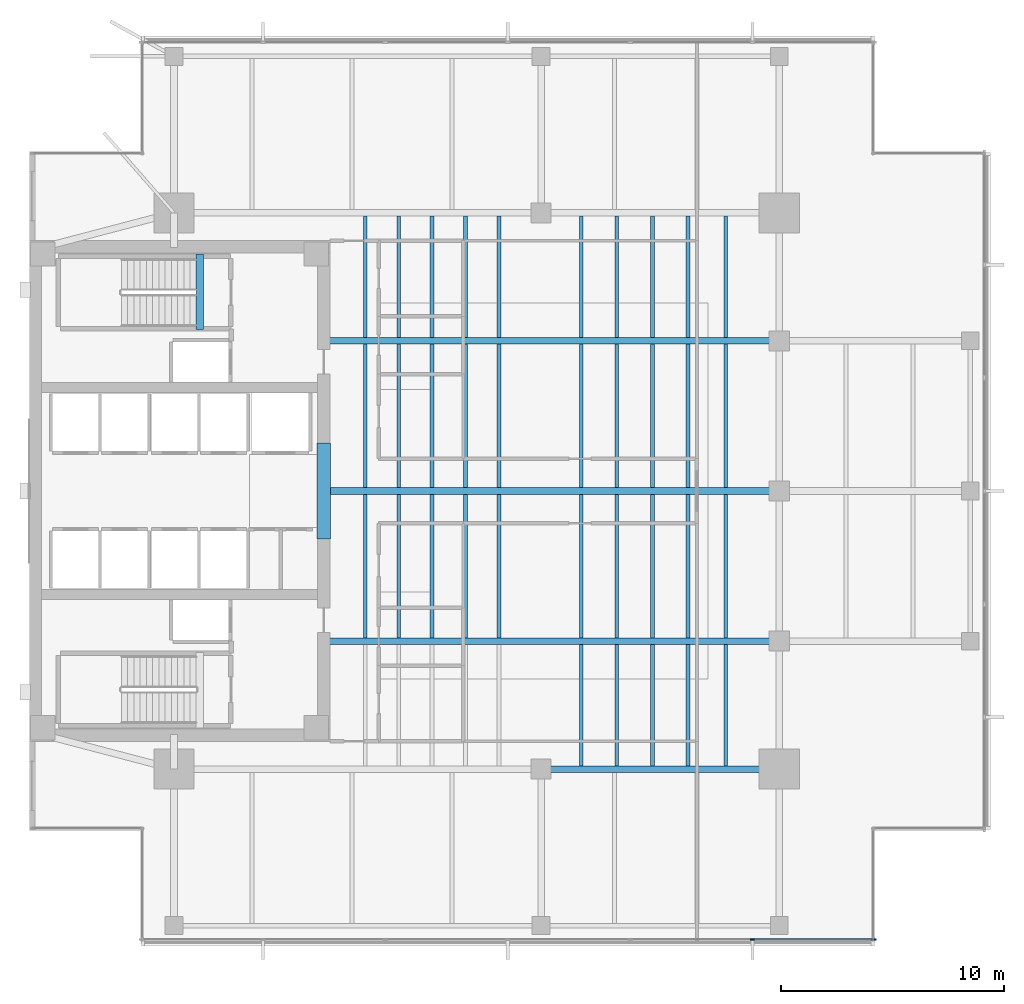
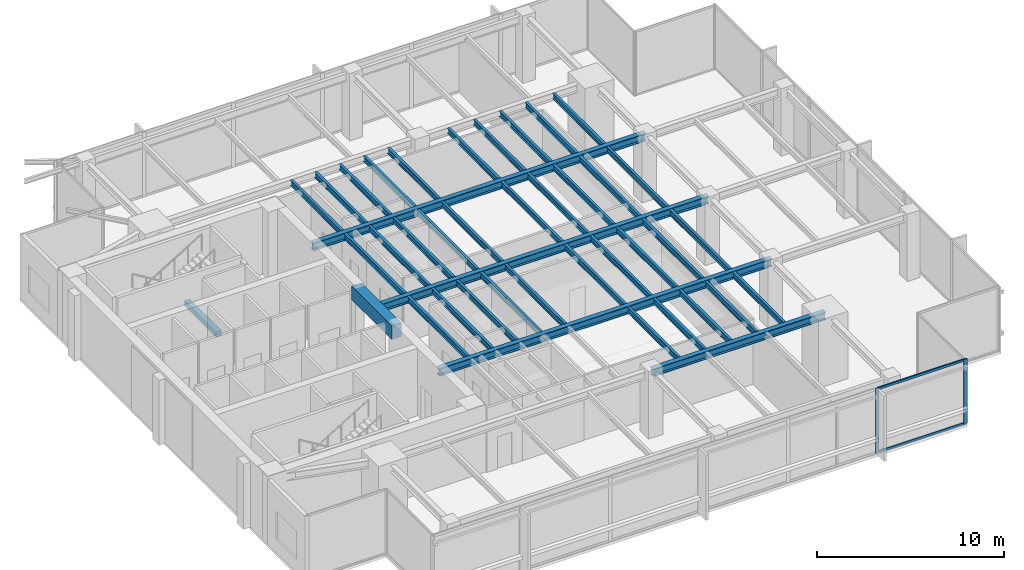
# One storey, part 3 of 14: 41 beams, 4 members, 1 element without a shape of its own.
"""IFC4 building model written with IfcOpenShell, lengths in metres."""

from ifc_helpers import new_model, si_unit, direction, frame, origin, origin_2d, place, context, subcontext, project, spatial, rectangle, i_section, extrude, material, layer, layer_set, material_profile, profile_set, type_object, element, aggregate, save


model = new_model("IFC4")

# Units and contexts
model_context = context("Model", 3, precision=1e-05, world=origin(), true_north=direction((0.0, 1.0)))
body_context = subcontext(model_context, "Body", "Model", "MODEL_VIEW")
ifc_project = project(units=[si_unit("LENGTHUNIT", "METRE"), si_unit("AREAUNIT", "SQUARE_METRE"), si_unit("VOLUMEUNIT", "CUBIC_METRE"), si_unit("PLANEANGLEUNIT", "RADIAN"), si_unit("MASSUNIT", "GRAM", prefix="KILO")], contexts=[model_context])

# Site, building, storey
site_placement = place(None, origin())
site = spatial("IfcSite", under=ifc_project, at=site_placement, CompositionType="ELEMENT")
building_placement = place(site_placement, origin())
building = spatial("IfcBuilding", under=site, at=building_placement, Name="Kinhvarn Gate Tower", CompositionType="ELEMENT")
storey_placement = place(building_placement, frame((0.0, 0.0, 183.64990234375)))
storey = spatial("IfcBuildingStorey", under=building, at=storey_placement, Name="L48", CompositionType="ELEMENT", Elevation=183.64990234375)

# Beams
ifc_material_1 = material(Name="Concrete C60/75", Category="concrete")
ifc_material_profile_1 = material_profile(ifc_material_1, rectangle(XDim=0.60009765625, YDim=0.89990234375, at=origin_2d()), Name="RC 600x900")
ifc_profile_set_1 = profile_set([ifc_material_profile_1], Name="Concrete C60/75")
beam_type_1 = type_object("IfcBeamType", Name="BM-CB-900", PredefinedType="LINTEL", material=ifc_profile_set_1)
beam_1_placement = place(storey_placement, frame((17.72509765625, 23.10009765625, 3.77001953125), z_axis=(0.0, 1.0, 0.0), x_axis=(-1.0, 0.0, 0.0)))
element("IfcBeam", 1, at=beam_1_placement, inside=storey, type_object=beam_type_1, Name="Core East Portal Coupling Beam L48", PredefinedType="LINTEL", context=body_context, shape_type="SweptSolid", body=[
    extrude(rectangle(XDim=0.60009765625, YDim=0.89990234375, at=origin_2d()), origin(), (0.0, 0.0, 1.0), 4.2998046875),
])
ifc_material_2 = material(Name="Concrete C50/60", Category="concrete")
ifc_material_profile_2 = material_profile(ifc_material_2, rectangle(XDim=0.340087890625, YDim=0.320068359375, at=origin_2d()), Name="RC 340x320")
ifc_profile_set_2 = profile_set([ifc_material_profile_2], Name="Concrete C50/60")
beam_type_2 = type_object("IfcBeamType", Name="BM-LND-500", PredefinedType="BEAM", material=ifc_profile_set_2)
beam_2_placement = place(storey_placement, frame((12.1650390625, 32.5, -0.159912109375), z_axis=(0.0, 1.0, 0.0), x_axis=(-1.0, 0.0, 0.0)))
element("IfcBeam", 2, at=beam_2_placement, inside=storey, type_object=beam_type_2, Name="Stair ST2 Landing Nosing Beam (L48)", PredefinedType="BEAM", context=body_context, shape_type="SweptSolid", body=[
    extrude(rectangle(XDim=0.340087890625, YDim=0.320068359375, at=origin_2d()), origin(), (0.0, 0.0, 1.0), 3.39990234375),
])

# Curtain wall, members
ifc_material_3 = material(Name="Anodised aluminium AW-6063", Category="aluminium")
ifc_layer = layer(ifc_material_3, 0.219970703125)
ifc_layer_set = layer_set([ifc_layer], Name="Anodised aluminium AW-6063")
curtain_wall_type = type_object("IfcCurtainWallType", Name="CW-SYS-5", PredefinedType="NOTDEFINED", material=ifc_layer_set)
curtain_wall_placement = place(storey_placement, origin())
curtain_wall = element("IfcCurtainWall", 3, at=curtain_wall_placement, inside=storey, type_object=curtain_wall_type, Name="Curtain Wall CW5 (L48)", PredefinedType="NOTDEFINED")
ifc_material_profile_3 = material_profile(ifc_material_3, rectangle(XDim=0.080078125, YDim=0.219970703125, at=origin_2d()), Name="ALU 80x220")
ifc_profile_set_3 = profile_set([ifc_material_profile_3], Name="Anodised aluminium AW-6063")
member_type_1 = type_object("IfcMemberType", Name="CW-MUL-220", PredefinedType="MULLION", material=ifc_profile_set_3)
member_1_placement = place(storey_placement, frame((37.0, 5.090087890625, 0.0), z_axis=(0.0, 0.0, 1.0), x_axis=(0.0, 1.0, 0.0)))
member_1 = element("IfcMember", 4, at=member_1_placement, type_object=member_type_1, Name="CW5 mullion 6", PredefinedType="MULLION", context=body_context, shape_type="SweptSolid", body=[
    extrude(rectangle(XDim=0.080078125, YDim=0.219970703125, at=origin_2d()), origin(), (0.0, 0.0, 1.0), 4.22021484375),
])
member_2_placement = place(storey_placement, frame((42.4599609375, 5.090087890625, 0.0), z_axis=(0.0, 0.0, 1.0), x_axis=(0.0, 1.0, 0.0)))
member_2 = element("IfcMember", 5, at=member_2_placement, type_object=member_type_1, Name="CW5 mullion 7", PredefinedType="MULLION", context=body_context, shape_type="SweptSolid", body=[
    extrude(rectangle(XDim=0.080078125, YDim=0.219970703125, at=origin_2d()), origin(), (0.0, 0.0, 1.0), 4.22021484375),
])
ifc_material_profile_4 = material_profile(ifc_material_3, rectangle(XDim=0.080078125, YDim=0.159912109375, at=origin_2d()), Name="ALU 80x160")
ifc_profile_set_4 = profile_set([ifc_material_profile_4], Name="Anodised aluminium AW-6063")
member_type_2 = type_object("IfcMemberType", Name="CW-TRN-160", PredefinedType="USERDEFINED", material=ifc_profile_set_4)
member_3_placement = place(storey_placement, frame((37.0400390625, 5.090087890625, 0.0400390625), z_axis=(1.0, 0.0, 0.0), x_axis=(0.0, 1.0, 0.0)))
member_3 = element("IfcMember", 6, at=member_3_placement, type_object=member_type_2, Name="CW5 transom 6.1", ObjectType="TRANSOM", PredefinedType="USERDEFINED", context=body_context, shape_type="SweptSolid", body=[
    extrude(rectangle(XDim=0.080078125, YDim=0.159912109375, at=origin_2d()), origin(), (0.0, 0.0, 1.0), 5.3798828125),
])
member_4_placement = place(storey_placement, frame((37.0400390625, 5.090087890625, 4.18017578125), z_axis=(1.0, 0.0, 0.0), x_axis=(0.0, 1.0, 0.0)))
member_4 = element("IfcMember", 7, at=member_4_placement, type_object=member_type_2, Name="CW5 transom 6.2", ObjectType="TRANSOM", PredefinedType="USERDEFINED", context=body_context, shape_type="SweptSolid", body=[
    extrude(rectangle(XDim=0.080078125, YDim=0.159912109375, at=origin_2d()), origin(), (0.0, 0.0, 1.0), 5.3798828125),
])
aggregate(curtain_wall, [member_1, member_2, member_3, member_4])

# Beams
ifc_material_4 = material(Name="Steel S355", Category="steel")
ifc_material_profile_5 = material_profile(ifc_material_4, i_section(OverallWidth=0.300048828125, OverallDepth=0.5, WebThickness=0.014404296875, FlangeThickness=0.028076171875, at=origin_2d()), Name="HEB 500")
ifc_profile_set_5 = profile_set([ifc_material_profile_5], Name="Steel S355")
beam_type_3 = type_object("IfcBeamType", Name="STL-HEB500", PredefinedType="BEAM", material=ifc_profile_set_5)
beam_3_placement = place(storey_placement, frame((27.5, 12.75, 3.97021484375), z_axis=(1.0, 0.0, 0.0), x_axis=(0.0, 1.0, 0.0)))
element("IfcBeam", 8, at=beam_3_placement, inside=storey, type_object=beam_type_3, Name="Floor Beam PG-14 (L48 MG-S2)", PredefinedType="BEAM", context=body_context, shape_type="SweptSolid", body=[
    extrude(i_section(OverallWidth=0.300048828125, OverallDepth=0.5, WebThickness=0.014404296875, FlangeThickness=0.028076171875, at=origin_2d()), origin(), (0.0, 0.0, 1.0), 10.699951171875),
])
beam_4_placement = place(storey_placement, frame((17.64990234375, 18.5, 3.97021484375), z_axis=(1.0, 0.0, 0.0), x_axis=(0.0, 1.0, 0.0)))
element("IfcBeam", 9, at=beam_4_placement, inside=storey, type_object=beam_type_3, Name="Floor Beam PG-14 (L48 EW1-Y18)", PredefinedType="BEAM", context=body_context, shape_type="SweptSolid", body=[
    extrude(i_section(OverallWidth=0.300048828125, OverallDepth=0.5, WebThickness=0.014404296875, FlangeThickness=0.028076171875, at=origin_2d()), origin(), (0.0, 0.0, 1.0), 20.550048828125),
])
beam_5_placement = place(storey_placement, frame((18.02490234375, 25.25, 3.97021484375), z_axis=(1.0, 0.0, 0.0), x_axis=(0.0, 1.0, 0.0)))
element("IfcBeam", 10, at=beam_5_placement, inside=storey, type_object=beam_type_3, Name="Floor Beam PG-14 (L48 EW1-Y25)", PredefinedType="BEAM", context=body_context, shape_type="SweptSolid", body=[
    extrude(i_section(OverallWidth=0.300048828125, OverallDepth=0.5, WebThickness=0.014404296875, FlangeThickness=0.028076171875, at=origin_2d()), origin(), (0.0, 0.0, 1.0), 20.175048828125),
])
beam_6_placement = place(storey_placement, frame((17.64990234375, 32.0, 3.97021484375), z_axis=(1.0, 0.0, 0.0), x_axis=(0.0, 1.0, 0.0)))
element("IfcBeam", 11, at=beam_6_placement, inside=storey, type_object=beam_type_3, Name="Floor Beam PG-14 (L48 EW1-Y32)", PredefinedType="BEAM", context=body_context, shape_type="SweptSolid", body=[
    extrude(i_section(OverallWidth=0.300048828125, OverallDepth=0.5, WebThickness=0.014404296875, FlangeThickness=0.028076171875, at=origin_2d()), origin(), (0.0, 0.0, 1.0), 20.550048828125),
])
ifc_material_profile_6 = material_profile(ifc_material_4, i_section(OverallWidth=0.169921875, OverallDepth=0.360107421875, WebThickness=0.008056640625, FlangeThickness=0.0126953125, at=origin_2d()), Name="IPE 360")
ifc_profile_set_6 = profile_set([ifc_material_profile_6], Name="Steel S355")
beam_type_4 = type_object("IfcBeamType", Name="STL-IPE360", PredefinedType="JOIST", material=ifc_profile_set_6)
for number, where, z_axis, x_axis, name in (
    (12, (19.60009765625, 18.64990234375, 4.0400390625), (0.0, 1.0, 0.0), (-1.0, 0.0, 0.0), "Floor Joist SB-04 (L48 JC-X196-1)"),
    (13, (19.60009765625, 25.39990234375, 4.0400390625), (0.0, 1.0, 0.0), (-1.0, 0.0, 0.0), "Floor Joist SB-04 (L48 JC-X196-2)"),
):
    element("IfcBeam", number, at=place(storey_placement, frame(where, z_axis=z_axis, x_axis=x_axis)), inside=storey, type_object=beam_type_4, Name=name, PredefinedType="JOIST", context=body_context, shape_type="SweptSolid", body=[
        extrude(i_section(OverallWidth=0.169921875, OverallDepth=0.360107421875, WebThickness=0.008056640625, FlangeThickness=0.0126953125, at=origin_2d()), origin(), (0.0, 0.0, 1.0), 6.4501953125),
    ])
beam_7_placement = place(storey_placement, frame((19.60009765625, 32.14990234375, 4.0400390625), z_axis=(0.0, 1.0, 0.0), x_axis=(-1.0, 0.0, 0.0)))
element("IfcBeam", 14, at=beam_7_placement, inside=storey, type_object=beam_type_4, Name="Floor Joist SB-04 (L48 JC-X196-3)", PredefinedType="JOIST", context=body_context, shape_type="SweptSolid", body=[
    extrude(i_section(OverallWidth=0.169921875, OverallDepth=0.360107421875, WebThickness=0.008056640625, FlangeThickness=0.0126953125, at=origin_2d()), origin(), (0.0, 0.0, 1.0), 5.4501953125),
])
for number, where, z_axis, x_axis, name in (
    (15, (21.10009765625, 18.64990234375, 4.0400390625), (0.0, 1.0, 0.0), (-1.0, 0.0, 0.0), "Floor Joist SB-04 (L48 JC-X211-1)"),
    (16, (21.10009765625, 25.39990234375, 4.0400390625), (0.0, 1.0, 0.0), (-1.0, 0.0, 0.0), "Floor Joist SB-04 (L48 JC-X211-2)"),
):
    element("IfcBeam", number, at=place(storey_placement, frame(where, z_axis=z_axis, x_axis=x_axis)), inside=storey, type_object=beam_type_4, Name=name, PredefinedType="JOIST", context=body_context, shape_type="SweptSolid", body=[
        extrude(i_section(OverallWidth=0.169921875, OverallDepth=0.360107421875, WebThickness=0.008056640625, FlangeThickness=0.0126953125, at=origin_2d()), origin(), (0.0, 0.0, 1.0), 6.4501953125),
    ])
beam_8_placement = place(storey_placement, frame((21.10009765625, 32.14990234375, 4.0400390625), z_axis=(0.0, 1.0, 0.0), x_axis=(-1.0, 0.0, 0.0)))
element("IfcBeam", 17, at=beam_8_placement, inside=storey, type_object=beam_type_4, Name="Floor Joist SB-04 (L48 JC-X211-3)", PredefinedType="JOIST", context=body_context, shape_type="SweptSolid", body=[
    extrude(i_section(OverallWidth=0.169921875, OverallDepth=0.360107421875, WebThickness=0.008056640625, FlangeThickness=0.0126953125, at=origin_2d()), origin(), (0.0, 0.0, 1.0), 5.4501953125),
])
for number, where, z_axis, x_axis, name in (
    (18, (22.60009765625, 18.64990234375, 4.0400390625), (0.0, 1.0, 0.0), (-1.0, 0.0, 0.0), "Floor Joist SB-04 (L48 JC-X226-1)"),
    (19, (22.60009765625, 25.39990234375, 4.0400390625), (0.0, 1.0, 0.0), (-1.0, 0.0, 0.0), "Floor Joist SB-04 (L48 JC-X226-2)"),
):
    element("IfcBeam", number, at=place(storey_placement, frame(where, z_axis=z_axis, x_axis=x_axis)), inside=storey, type_object=beam_type_4, Name=name, PredefinedType="JOIST", context=body_context, shape_type="SweptSolid", body=[
        extrude(i_section(OverallWidth=0.169921875, OverallDepth=0.360107421875, WebThickness=0.008056640625, FlangeThickness=0.0126953125, at=origin_2d()), origin(), (0.0, 0.0, 1.0), 6.4501953125),
    ])
beam_9_placement = place(storey_placement, frame((22.60009765625, 32.14990234375, 4.0400390625), z_axis=(0.0, 1.0, 0.0), x_axis=(-1.0, 0.0, 0.0)))
element("IfcBeam", 20, at=beam_9_placement, inside=storey, type_object=beam_type_4, Name="Floor Joist SB-04 (L48 JC-X226-3)", PredefinedType="JOIST", context=body_context, shape_type="SweptSolid", body=[
    extrude(i_section(OverallWidth=0.169921875, OverallDepth=0.360107421875, WebThickness=0.008056640625, FlangeThickness=0.0126953125, at=origin_2d()), origin(), (0.0, 0.0, 1.0), 5.4501953125),
])
for number, where, z_axis, x_axis, name in (
    (21, (24.10009765625, 18.64990234375, 4.0400390625), (0.0, 1.0, 0.0), (-1.0, 0.0, 0.0), "Floor Joist SB-04 (L48 JC-X241-1)"),
    (22, (24.10009765625, 25.39990234375, 4.0400390625), (0.0, 1.0, 0.0), (-1.0, 0.0, 0.0), "Floor Joist SB-04 (L48 JC-X241-2)"),
):
    element("IfcBeam", number, at=place(storey_placement, frame(where, z_axis=z_axis, x_axis=x_axis)), inside=storey, type_object=beam_type_4, Name=name, PredefinedType="JOIST", context=body_context, shape_type="SweptSolid", body=[
        extrude(i_section(OverallWidth=0.169921875, OverallDepth=0.360107421875, WebThickness=0.008056640625, FlangeThickness=0.0126953125, at=origin_2d()), origin(), (0.0, 0.0, 1.0), 6.4501953125),
    ])
beam_10_placement = place(storey_placement, frame((24.10009765625, 32.14990234375, 4.0400390625), z_axis=(0.0, 1.0, 0.0), x_axis=(-1.0, 0.0, 0.0)))
element("IfcBeam", 23, at=beam_10_placement, inside=storey, type_object=beam_type_4, Name="Floor Joist SB-04 (L48 JC-X241-3)", PredefinedType="JOIST", context=body_context, shape_type="SweptSolid", body=[
    extrude(i_section(OverallWidth=0.169921875, OverallDepth=0.360107421875, WebThickness=0.008056640625, FlangeThickness=0.0126953125, at=origin_2d()), origin(), (0.0, 0.0, 1.0), 5.4501953125),
])
for number, where, z_axis, x_axis, name in (
    (24, (25.60009765625, 18.64990234375, 4.0400390625), (0.0, 1.0, 0.0), (-1.0, 0.0, 0.0), "Floor Joist SB-04 (L48 JC-X256-1)"),
    (25, (25.60009765625, 25.39990234375, 4.0400390625), (0.0, 1.0, 0.0), (-1.0, 0.0, 0.0), "Floor Joist SB-04 (L48 JC-X256-2)"),
):
    element("IfcBeam", number, at=place(storey_placement, frame(where, z_axis=z_axis, x_axis=x_axis)), inside=storey, type_object=beam_type_4, Name=name, PredefinedType="JOIST", context=body_context, shape_type="SweptSolid", body=[
        extrude(i_section(OverallWidth=0.169921875, OverallDepth=0.360107421875, WebThickness=0.008056640625, FlangeThickness=0.0126953125, at=origin_2d()), origin(), (0.0, 0.0, 1.0), 6.4501953125),
    ])
for number, where, z_axis, x_axis, name in (
    (26, (25.60009765625, 32.14990234375, 4.0400390625), (0.0, 1.0, 0.0), (-1.0, 0.0, 0.0), "Floor Joist SB-04 (L48 JC-X256-3)"),
    (27, (29.300048828125, 12.89990234375, 4.0400390625), (0.0, 1.0, 0.0), (-1.0, 0.0, 0.0), "Floor Joist SB-04 (L48 JC-X293-0)"),
):
    element("IfcBeam", number, at=place(storey_placement, frame(where, z_axis=z_axis, x_axis=x_axis)), inside=storey, type_object=beam_type_4, Name=name, PredefinedType="JOIST", context=body_context, shape_type="SweptSolid", body=[
        extrude(i_section(OverallWidth=0.169921875, OverallDepth=0.360107421875, WebThickness=0.008056640625, FlangeThickness=0.0126953125, at=origin_2d()), origin(), (0.0, 0.0, 1.0), 5.4501953125),
    ])
for number, where, z_axis, x_axis, name in (
    (28, (29.300048828125, 18.64990234375, 4.0400390625), (0.0, 1.0, 0.0), (-1.0, 0.0, 0.0), "Floor Joist SB-04 (L48 JC-X293-1)"),
    (29, (29.300048828125, 25.39990234375, 4.0400390625), (0.0, 1.0, 0.0), (-1.0, 0.0, 0.0), "Floor Joist SB-04 (L48 JC-X293-2)"),
):
    element("IfcBeam", number, at=place(storey_placement, frame(where, z_axis=z_axis, x_axis=x_axis)), inside=storey, type_object=beam_type_4, Name=name, PredefinedType="JOIST", context=body_context, shape_type="SweptSolid", body=[
        extrude(i_section(OverallWidth=0.169921875, OverallDepth=0.360107421875, WebThickness=0.008056640625, FlangeThickness=0.0126953125, at=origin_2d()), origin(), (0.0, 0.0, 1.0), 6.4501953125),
    ])
for number, where, z_axis, x_axis, name in (
    (30, (29.300048828125, 32.14990234375, 4.0400390625), (0.0, 1.0, 0.0), (-1.0, 0.0, 0.0), "Floor Joist SB-04 (L48 JC-X293-3)"),
    (31, (30.89990234375, 12.89990234375, 4.0400390625), (0.0, 1.0, 0.0), (-1.0, 0.0, 0.0), "Floor Joist SB-04 (L48 JC-X309-0)"),
):
    element("IfcBeam", number, at=place(storey_placement, frame(where, z_axis=z_axis, x_axis=x_axis)), inside=storey, type_object=beam_type_4, Name=name, PredefinedType="JOIST", context=body_context, shape_type="SweptSolid", body=[
        extrude(i_section(OverallWidth=0.169921875, OverallDepth=0.360107421875, WebThickness=0.008056640625, FlangeThickness=0.0126953125, at=origin_2d()), origin(), (0.0, 0.0, 1.0), 5.4501953125),
    ])
for number, where, z_axis, x_axis, name in (
    (32, (30.89990234375, 18.64990234375, 4.0400390625), (0.0, 1.0, 0.0), (-1.0, 0.0, 0.0), "Floor Joist SB-04 (L48 JC-X309-1)"),
    (33, (30.89990234375, 25.39990234375, 4.0400390625), (0.0, 1.0, 0.0), (-1.0, 0.0, 0.0), "Floor Joist SB-04 (L48 JC-X309-2)"),
):
    element("IfcBeam", number, at=place(storey_placement, frame(where, z_axis=z_axis, x_axis=x_axis)), inside=storey, type_object=beam_type_4, Name=name, PredefinedType="JOIST", context=body_context, shape_type="SweptSolid", body=[
        extrude(i_section(OverallWidth=0.169921875, OverallDepth=0.360107421875, WebThickness=0.008056640625, FlangeThickness=0.0126953125, at=origin_2d()), origin(), (0.0, 0.0, 1.0), 6.4501953125),
    ])
for number, where, z_axis, x_axis, name in (
    (34, (30.89990234375, 32.14990234375, 4.0400390625), (0.0, 1.0, 0.0), (-1.0, 0.0, 0.0), "Floor Joist SB-04 (L48 JC-X309-3)"),
    (35, (32.5, 12.89990234375, 4.0400390625), (0.0, 1.0, 0.0), (-1.0, 0.0, 0.0), "Floor Joist SB-04 (L48 JC-X325-0)"),
):
    element("IfcBeam", number, at=place(storey_placement, frame(where, z_axis=z_axis, x_axis=x_axis)), inside=storey, type_object=beam_type_4, Name=name, PredefinedType="JOIST", context=body_context, shape_type="SweptSolid", body=[
        extrude(i_section(OverallWidth=0.169921875, OverallDepth=0.360107421875, WebThickness=0.008056640625, FlangeThickness=0.0126953125, at=origin_2d()), origin(), (0.0, 0.0, 1.0), 5.4501953125),
    ])
for number, where, z_axis, x_axis, name in (
    (36, (32.5, 18.64990234375, 4.0400390625), (0.0, 1.0, 0.0), (-1.0, 0.0, 0.0), "Floor Joist SB-04 (L48 JC-X325-1)"),
    (37, (32.5, 25.39990234375, 4.0400390625), (0.0, 1.0, 0.0), (-1.0, 0.0, 0.0), "Floor Joist SB-04 (L48 JC-X325-2)"),
):
    element("IfcBeam", number, at=place(storey_placement, frame(where, z_axis=z_axis, x_axis=x_axis)), inside=storey, type_object=beam_type_4, Name=name, PredefinedType="JOIST", context=body_context, shape_type="SweptSolid", body=[
        extrude(i_section(OverallWidth=0.169921875, OverallDepth=0.360107421875, WebThickness=0.008056640625, FlangeThickness=0.0126953125, at=origin_2d()), origin(), (0.0, 0.0, 1.0), 6.4501953125),
    ])
for number, where, z_axis, x_axis, name in (
    (38, (32.5, 32.14990234375, 4.0400390625), (0.0, 1.0, 0.0), (-1.0, 0.0, 0.0), "Floor Joist SB-04 (L48 JC-X325-3)"),
    (39, (34.10009765625, 12.89990234375, 4.0400390625), (0.0, 1.0, 0.0), (-1.0, 0.0, 0.0), "Floor Joist SB-04 (L48 JC-X341-0)"),
):
    element("IfcBeam", number, at=place(storey_placement, frame(where, z_axis=z_axis, x_axis=x_axis)), inside=storey, type_object=beam_type_4, Name=name, PredefinedType="JOIST", context=body_context, shape_type="SweptSolid", body=[
        extrude(i_section(OverallWidth=0.169921875, OverallDepth=0.360107421875, WebThickness=0.008056640625, FlangeThickness=0.0126953125, at=origin_2d()), origin(), (0.0, 0.0, 1.0), 5.4501953125),
    ])
for number, where, z_axis, x_axis, name in (
    (40, (34.10009765625, 18.64990234375, 4.0400390625), (0.0, 1.0, 0.0), (-1.0, 0.0, 0.0), "Floor Joist SB-04 (L48 JC-X341-1)"),
    (41, (34.10009765625, 25.39990234375, 4.0400390625), (0.0, 1.0, 0.0), (-1.0, 0.0, 0.0), "Floor Joist SB-04 (L48 JC-X341-2)"),
):
    element("IfcBeam", number, at=place(storey_placement, frame(where, z_axis=z_axis, x_axis=x_axis)), inside=storey, type_object=beam_type_4, Name=name, PredefinedType="JOIST", context=body_context, shape_type="SweptSolid", body=[
        extrude(i_section(OverallWidth=0.169921875, OverallDepth=0.360107421875, WebThickness=0.008056640625, FlangeThickness=0.0126953125, at=origin_2d()), origin(), (0.0, 0.0, 1.0), 6.4501953125),
    ])
for number, where, z_axis, x_axis, name in (
    (42, (34.10009765625, 32.14990234375, 4.0400390625), (0.0, 1.0, 0.0), (-1.0, 0.0, 0.0), "Floor Joist SB-04 (L48 JC-X341-3)"),
    (43, (35.800048828125, 12.89990234375, 4.0400390625), (0.0, 1.0, 0.0), (-1.0, 0.0, 0.0), "Floor Joist SB-04 (L48 JC-X358-0)"),
):
    element("IfcBeam", number, at=place(storey_placement, frame(where, z_axis=z_axis, x_axis=x_axis)), inside=storey, type_object=beam_type_4, Name=name, PredefinedType="JOIST", context=body_context, shape_type="SweptSolid", body=[
        extrude(i_section(OverallWidth=0.169921875, OverallDepth=0.360107421875, WebThickness=0.008056640625, FlangeThickness=0.0126953125, at=origin_2d()), origin(), (0.0, 0.0, 1.0), 5.4501953125),
    ])
for number, where, z_axis, x_axis, name in (
    (44, (35.800048828125, 18.64990234375, 4.0400390625), (0.0, 1.0, 0.0), (-1.0, 0.0, 0.0), "Floor Joist SB-04 (L48 JC-X358-1)"),
    (45, (35.800048828125, 25.39990234375, 4.0400390625), (0.0, 1.0, 0.0), (-1.0, 0.0, 0.0), "Floor Joist SB-04 (L48 JC-X358-2)"),
):
    element("IfcBeam", number, at=place(storey_placement, frame(where, z_axis=z_axis, x_axis=x_axis)), inside=storey, type_object=beam_type_4, Name=name, PredefinedType="JOIST", context=body_context, shape_type="SweptSolid", body=[
        extrude(i_section(OverallWidth=0.169921875, OverallDepth=0.360107421875, WebThickness=0.008056640625, FlangeThickness=0.0126953125, at=origin_2d()), origin(), (0.0, 0.0, 1.0), 6.4501953125),
    ])
beam_11_placement = place(storey_placement, frame((35.800048828125, 32.14990234375, 4.0400390625), z_axis=(0.0, 1.0, 0.0), x_axis=(-1.0, 0.0, 0.0)))
element("IfcBeam", 46, at=beam_11_placement, inside=storey, type_object=beam_type_4, Name="Floor Joist SB-04 (L48 JC-X358-3)", PredefinedType="JOIST", context=body_context, shape_type="SweptSolid", body=[
    extrude(i_section(OverallWidth=0.169921875, OverallDepth=0.360107421875, WebThickness=0.008056640625, FlangeThickness=0.0126953125, at=origin_2d()), origin(), (0.0, 0.0, 1.0), 5.4501953125),
])

save(model, "model.ifc")
